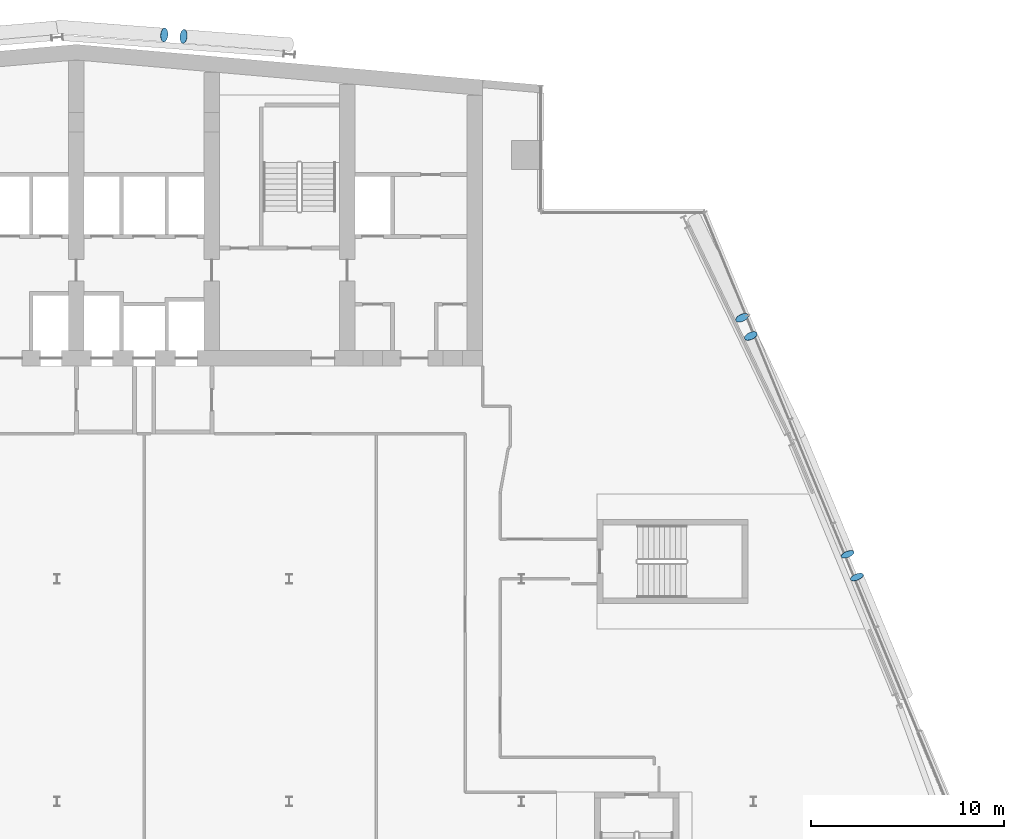
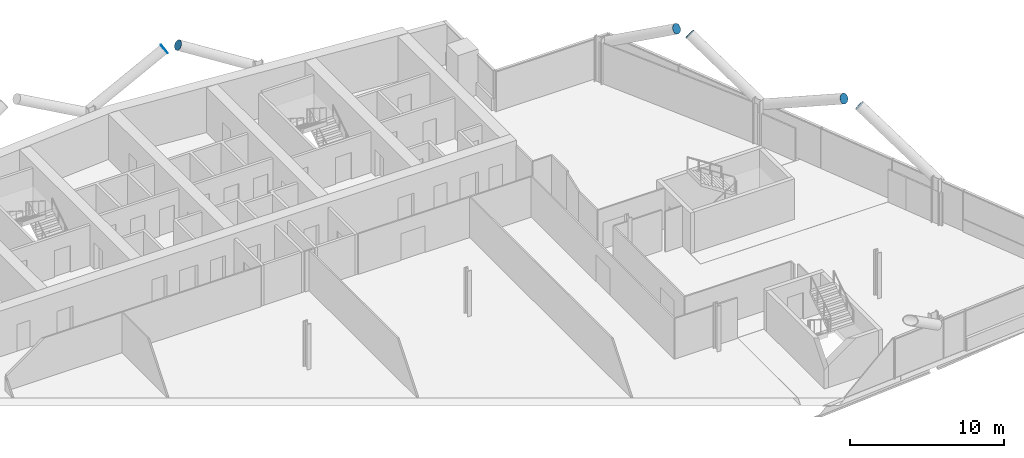
# One storey, part 23 of 26: 6 discrete accessories.
"""IFC4 building model written with IfcOpenShell, lengths in metres."""

from ifc_helpers import new_model, si_unit, direction, frame, origin, origin_2d, place, context, subcontext, project, spatial, circle, extrude, material, material_profile, profile_set, type_object, element, save


model = new_model("IFC4")

# Units and contexts
model_context = context("Model", 3, precision=1e-05, world=origin(), true_north=direction((0.0, 1.0)))
body_context = subcontext(model_context, "Body", "Model", "MODEL_VIEW")
ifc_project = project(units=[si_unit("LENGTHUNIT", "METRE"), si_unit("AREAUNIT", "SQUARE_METRE"), si_unit("VOLUMEUNIT", "CUBIC_METRE"), si_unit("PLANEANGLEUNIT", "RADIAN"), si_unit("MASSUNIT", "GRAM", prefix="KILO")], contexts=[model_context])

# Site, building, storey
site_placement = place(None, origin())
site = spatial("IfcSite", under=ifc_project, at=site_placement, CompositionType="ELEMENT")
building_placement = place(site_placement, origin())
building = spatial("IfcBuilding", under=site, at=building_placement, Name="Wharfspan Tower", CompositionType="ELEMENT")
storey_placement = place(building_placement, frame((0.0, 0.0, 177.100098)))
storey = spatial("IfcBuildingStorey", under=building, at=storey_placement, Name="L43", CompositionType="ELEMENT", Elevation=177.100098)

# Discrete accessories
ifc_material = material(Name="Steel S460NH", Category="steel")
ifc_material_profile = material_profile(ifc_material, circle(Radius=0.355469, at=origin_2d()))
ifc_profile_set = profile_set([ifc_material_profile], Name="Steel S460NH")
discrete_accessory_type = type_object("IfcDiscreteAccessoryType", Name="End plate CHS 711x36", PredefinedType="BRACKET", material=ifc_profile_set)
for number, where, z_axis, x_axis, name in (
    (1, (77.343018, 23.091309, 6.18335), (-0.341972, 0.830504, 0.439679), (-0.924678, -0.380749, -1e-06), "End plate CHS 711x36"),
    (2, (76.854248, 24.275146, 6.18335), (0.341972, -0.830504, 0.439679), (0.924678, 0.380749, -1e-06), "End plate CHS 711x36"),
    (3, (71.858154, 35.550537, 6.194092), (-0.364878, 0.778407, 0.510829), (-0.905462, -0.424435, 0.0), "End plate CHS 711x36"),
    (4, (71.401123, 36.504395, 6.194092), (0.364878, -0.778407, 0.510829), (0.905462, 0.424435, 0.0), "End plate CHS 711x36"),
    (5, (41.533447, 51.114502, 6.196777), (0.855186, -0.073302, 0.513112), (0.085402, 0.996345, -1e-06), "End plate CHS 711x36"),
    (6, (42.543213, 51.037354, 6.196777), (-0.855186, 0.073302, 0.513112), (-0.085402, -0.996345, -1e-06), "End plate CHS 711x36"),
):
    element("IfcDiscreteAccessory", number, at=place(storey_placement, frame(where, z_axis=z_axis, x_axis=x_axis)), inside=storey, type_object=discrete_accessory_type, Name=name, PredefinedType="BRACKET", context=body_context, shape_type="SweptSolid", body=[
        extrude(circle(Radius=0.355469, at=origin_2d()), origin(), (0.0, 0.0, 1.0), 0.01001),
    ])

save(model, "model.ifc")
